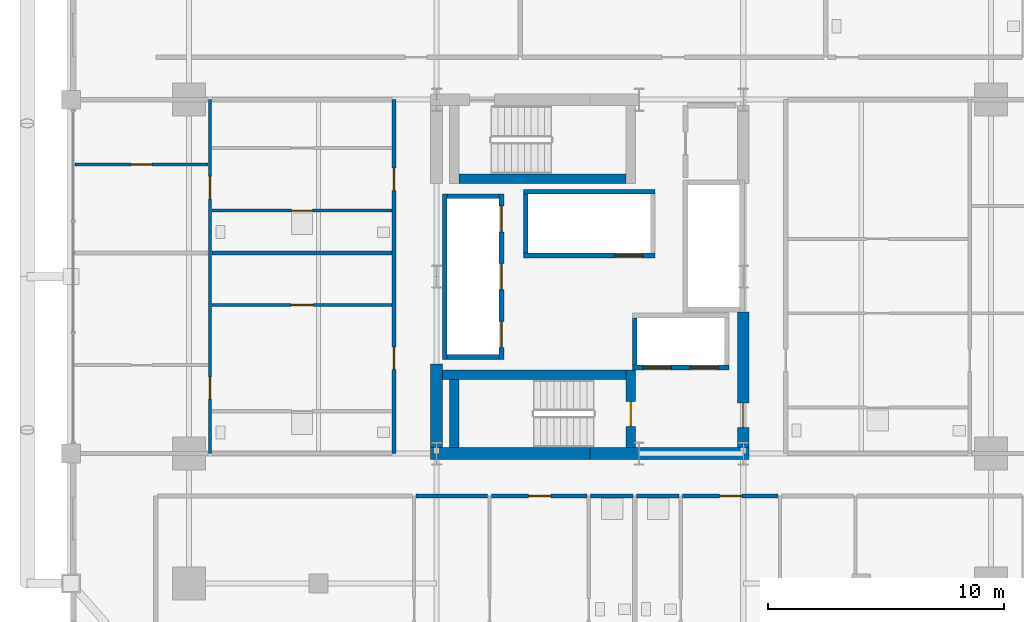
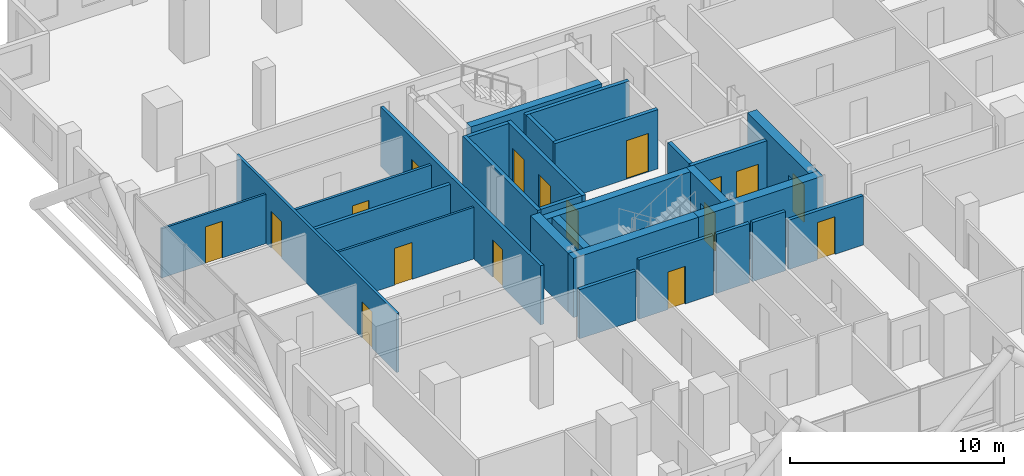
# One storey, part 22 of 27: 28 walls, 17 doors, 17 openings.
"""IFC4 building model written with IfcOpenShell, lengths in metres."""

from ifc_helpers import new_model, si_unit, direction, frame, frame_2d, origin, place, context, subcontext, project, spatial, rectangle, extrude, material, layer, layer_set, type_object, element, fill, save


model = new_model("IFC4")

# Units and contexts
model_context = context("Model", 3, precision=1e-05, world=origin(), true_north=direction((0.0, 1.0)))
body_context = subcontext(model_context, "Body", "Model", "MODEL_VIEW")
ifc_project = project(units=[si_unit("LENGTHUNIT", "METRE"), si_unit("AREAUNIT", "SQUARE_METRE"), si_unit("VOLUMEUNIT", "CUBIC_METRE"), si_unit("PLANEANGLEUNIT", "RADIAN"), si_unit("MASSUNIT", "GRAM", prefix="KILO")], contexts=[model_context])

# Site, building, storey
site_placement = place(None, origin())
site = spatial("IfcSite", under=ifc_project, at=site_placement, CompositionType="ELEMENT")
building_placement = place(site_placement, origin())
building = spatial("IfcBuilding", under=site, at=building_placement, Name="Barlavira Tower and Art Museum", CompositionType="ELEMENT")
storey_placement = place(building_placement, frame((0.0, 0.0, 50.39990234375)))
storey = spatial("IfcBuildingStorey", under=building, at=storey_placement, Name="L11", CompositionType="ELEMENT", Elevation=50.39990234375)

# Wall, opening, door
ifc_material_1 = material(Name="Gypsum acoustic stud partition", Category="gypsum")
ifc_layer_1 = layer(ifc_material_1, 0.1201171875, Name="Gypsum acoustic stud partition")
ifc_layer_set_1 = layer_set([ifc_layer_1], Name="Gypsum acoustic stud partition")
wall_type_1 = type_object("IfcWallType", Name="Apartment Internal Acoustic Partition 120", PredefinedType="PARTITIONING", material=ifc_layer_set_1)
wall_1_placement = place(storey_placement, frame((-16.02001953125, -1.199951171875, 0.0), z_axis=(0.0, 0.0, 1.0), x_axis=(1.0, 0.0, 0.0)))
wall_1 = element("IfcWall", 1, at=wall_1_placement, inside=storey, type_object=wall_type_1, Name="L11 Partition Wall 49", PredefinedType="PARTITIONING", context=body_context, shape_type="SweptSolid", body=[
    extrude(rectangle(XDim=7.64013671875, YDim=0.1201171875, at=frame_2d((3.820068359375, 0.0))), origin(), (0.0, 0.0, 1.0), 2.947998046875),
])
opening_1_placement = place(wall_1_placement, frame((3.344970703125, 0.0, 0.0)))
opening_1 = element("IfcOpeningElement", 2, at=opening_1_placement, cuts=wall_1, Name="Opening D-02", PredefinedType="OPENING", context=body_context, shape_type="SweptSolid", body=[
    extrude(rectangle(XDim=0.949951171875, YDim=2.10009765625, at=frame_2d((0.47509765625, 1.050048828125))), frame((0.0, 0.070068359375, 0.0), z_axis=(0.0, -1.0, 0.0), x_axis=(1.0, 0.0, 0.0)), (0.0, 0.0, 1.0), 0.14013671875),
])
ifc_material_2 = material(Name="Engineered coastal hardwood", Category="wood")
door_type_1 = type_object("IfcDoorType", Name="Living and Salon Glazed-Leaf Door 950x2100", OperationType="NOTDEFINED", PredefinedType="DOOR", material=ifc_material_2)
door_1_placement = place(opening_1_placement, origin())
door_1 = element("IfcDoor", 3, at=door_1_placement, inside=storey, type_object=door_type_1, Name="Apartment W1 Kitchen Door", OperationType="SINGLE_SWING_LEFT", OverallHeight=2.10009765625, OverallWidth=0.949951171875, PredefinedType="DOOR", context=body_context, shape_type="SweptSolid", body=[
    extrude(rectangle(XDim=0.949951171875, YDim=2.10009765625, at=frame_2d((0.47509765625, 1.050048828125))), frame((0.0, 0.02490234375, 0.0), z_axis=(0.0, -1.0, 0.0), x_axis=(1.0, 0.0, 0.0)), (0.0, 0.0, 1.0), 0.050048828125),
])
fill(opening_1, door_1)

wall_2_placement = place(storey_placement, frame((-21.820068359375, 4.75, 0.0), z_axis=(0.0, 0.0, 1.0), x_axis=(1.0, 0.0, 0.0)))
wall_2 = element("IfcWall", 4, at=wall_2_placement, inside=storey, type_object=wall_type_1, Name="L11 Partition Wall 55", PredefinedType="PARTITIONING", context=body_context, shape_type="SweptSolid", body=[
    extrude(rectangle(XDim=5.64013671875, YDim=0.1201171875, at=frame_2d((2.820068359375, 0.0))), origin(), (0.0, 0.0, 1.0), 2.816162109375),
])
opening_2_placement = place(wall_2_placement, frame((2.3701171875, 0.0, 0.0)))
opening_2 = element("IfcOpeningElement", 5, at=opening_2_placement, cuts=wall_2, Name="Opening D-01", PredefinedType="OPENING", context=body_context, shape_type="SweptSolid", body=[
    extrude(rectangle(XDim=0.89990234375, YDim=2.10009765625, at=frame_2d((0.449951171875, 1.050048828125))), frame((0.0, 0.070068359375, 0.0), z_axis=(0.0, -1.0, 0.0), x_axis=(1.0, 0.0, 0.0)), (0.0, 0.0, 1.0), 0.14013671875),
])
door_type_2 = type_object("IfcDoorType", Name="Internal Bedroom Timber Flush Door 900x2100", OperationType="NOTDEFINED", PredefinedType="DOOR", material=ifc_material_2)
door_2_placement = place(opening_2_placement, origin())
door_2 = element("IfcDoor", 6, at=door_2_placement, inside=storey, type_object=door_type_2, Name="Apartment W2 Bedroom 1 Door", OperationType="SINGLE_SWING_RIGHT", OverallHeight=2.10009765625, OverallWidth=0.89990234375, PredefinedType="DOOR", context=body_context, shape_type="SweptSolid", body=[
    extrude(rectangle(XDim=0.89990234375, YDim=2.10009765625, at=frame_2d((0.449951171875, 1.050048828125))), frame((0.0, 0.02490234375, 0.0), z_axis=(0.0, -1.0, 0.0), x_axis=(1.0, 0.0, 0.0)), (0.0, 0.0, 1.0), 0.050048828125),
])
fill(opening_2, door_2)

# Walls
ifc_material_3 = material(Name="Concrete C60", Category="concrete")
ifc_layer_2 = layer(ifc_material_3, 0.5, Name="Concrete C60")
ifc_layer_set_2 = layer_set([ifc_layer_2], Name="Concrete C60")
wall_type_2 = type_object("IfcWallType", Name="Core Structural Shear Wall 500 Concrete C60", PredefinedType="SHEAR", material=ifc_layer_set_2)
for number, where, z_axis, x_axis, name in (
    (7, (-6.75, -7.5, 0.0), (0.0, 0.0, 1.0), (1.0, 0.0, 0.0), "L11 Core Shear Wall CS-SW"),
    (8, (0.0, -7.5, 0.0), (0.0, 0.0, 1.0), (1.0, 0.0, 0.0), "L11 Core Shear Wall CS-SE"),
):
    element("IfcWall", number, at=place(storey_placement, frame(where, z_axis=z_axis, x_axis=x_axis)), inside=storey, type_object=wall_type_2, Name=name, PredefinedType="SHEAR", context=body_context, shape_type="SweptSolid", body=[
        extrude(rectangle(XDim=6.75, YDim=0.5, at=frame_2d((3.375, 0.0))), origin(), (0.0, 0.0, 1.0), 3.380126953125),
    ])
wall_3_placement = place(storey_placement, frame((-6.5, -7.25, 0.0), z_axis=(0.0, 0.0, 1.0), x_axis=(0.0, 1.0, 0.0)))
element("IfcWall", 9, at=wall_3_placement, inside=storey, type_object=wall_type_2, Name="L11 Core Shear Wall CS-W1", PredefinedType="SHEAR", context=body_context, shape_type="SweptSolid", body=[
    extrude(rectangle(XDim=3.550048828125, YDim=0.5, at=frame_2d((1.77490234375, 0.0))), origin(), (0.0, 0.0, 1.0), 3.380126953125),
])

# Wall, opening, door
wall_4_placement = place(storey_placement, frame((6.5, -7.25, 0.0), z_axis=(0.0, 0.0, 1.0), x_axis=(0.0, 1.0, 0.0)))
wall_4 = element("IfcWall", 10, at=wall_4_placement, inside=storey, type_object=wall_type_2, Name="L11 Core Shear Wall CS-E1", PredefinedType="SHEAR", context=body_context, shape_type="SweptSolid", body=[
    extrude(rectangle(XDim=5.75, YDim=0.5, at=frame_2d((2.875, 0.0))), origin(), (0.0, 0.0, 1.0), 3.380126953125),
])
opening_3_placement = place(wall_4_placement, frame((0.85009765625, 0.0, 0.0)))
opening_3 = element("IfcOpeningElement", 11, at=opening_3_placement, cuts=wall_4, Name="Opening FD-90", PredefinedType="OPENING", context=body_context, shape_type="SweptSolid", body=[
    extrude(rectangle(XDim=1.050048828125, YDim=2.14990234375, at=frame_2d((0.52490234375, 1.074951171875))), frame((0.0, 0.260009765625, 0.0), z_axis=(0.0, -1.0, 0.0), x_axis=(1.0, 0.0, 0.0)), (0.0, 0.0, 1.0), 0.52001953125),
])
ifc_material_4 = material(Name="Brushed stainless steel", Category="steel")
door_type_3 = type_object("IfcDoorType", Name="Stair and Refuge Fire Door 1050x2150 FD90S", OperationType="NOTDEFINED", PredefinedType="DOOR", material=ifc_material_4)
door_3_placement = place(opening_3_placement, origin())
door_3 = element("IfcDoor", 12, at=door_3_placement, inside=storey, type_object=door_type_3, Name="L11 Firefighting Lobby Entry Fire Door", OperationType="SINGLE_SWING_LEFT", OverallHeight=2.14990234375, OverallWidth=1.050048828125, PredefinedType="DOOR", context=body_context, shape_type="SweptSolid", body=[
    extrude(rectangle(XDim=1.050048828125, YDim=2.14990234375, at=frame_2d((0.52490234375, 1.074951171875))), frame((0.0, 0.02490234375, 0.0), z_axis=(0.0, -1.0, 0.0), x_axis=(1.0, 0.0, 0.0)), (0.0, 0.0, 1.0), 0.050048828125),
])
fill(opening_3, door_3)

# Wall, openings, doors
ifc_material_5 = material(Name="Autoclaved aerated concrete masonry", Category="masonry")
ifc_layer_3 = layer(ifc_material_5, 0.199951171875, Name="Autoclaved aerated concrete masonry")
ifc_layer_set_3 = layer_set([ifc_layer_3], Name="Autoclaved aerated concrete masonry")
wall_type_3 = type_object("IfcWallType", Name="Fire Compartment and Shaft Wall 200", PredefinedType="SOLIDWALL", material=ifc_layer_set_3)
wall_5_placement = place(storey_placement, frame((-3.75, -3.510009765625, 0.0), z_axis=(0.0, 0.0, 1.0), x_axis=(0.0, 1.0, 0.0)))
wall_5 = element("IfcWall", 13, at=wall_5_placement, inside=storey, type_object=wall_type_3, Name="L11 Low-Rise Lift Front Shaft Wall", PredefinedType="SOLIDWALL", context=body_context, shape_type="SweptSolid", body=[
    extrude(rectangle(XDim=7.02001953125, YDim=0.199951171875, at=frame_2d((3.510009765625, 0.0))), origin(), (0.0, 0.0, 1.0), 3.380126953125),
])
opening_4_placement = place(wall_5_placement, frame((0.510009765625, 0.0, 0.0)))
opening_4 = element("IfcOpeningElement", 14, at=opening_4_placement, cuts=wall_5, Name="Opening LD-P", PredefinedType="OPENING", context=body_context, shape_type="SweptSolid", body=[
    extrude(rectangle(XDim=1.10009765625, YDim=2.14990234375, at=frame_2d((0.550048828125, 1.074951171875))), frame((0.0, 0.10986328125, 0.0), z_axis=(0.0, -1.0, 0.0), x_axis=(1.0, 0.0, 0.0)), (0.0, 0.0, 1.0), 0.219970703125),
])
opening_5_placement = place(wall_5_placement, frame((2.9599609375, 0.0, 0.0)))
opening_5 = element("IfcOpeningElement", 15, at=opening_5_placement, cuts=wall_5, Name="Opening LD-P", PredefinedType="OPENING", context=body_context, shape_type="SweptSolid", body=[
    extrude(rectangle(XDim=1.10009765625, YDim=2.14990234375, at=frame_2d((0.550048828125, 1.074951171875))), frame((0.0, 0.10986328125, 0.0), z_axis=(0.0, -1.0, 0.0), x_axis=(1.0, 0.0, 0.0)), (0.0, 0.0, 1.0), 0.219970703125),
])
opening_6_placement = place(wall_5_placement, frame((5.409912109375, 0.0, 0.0)))
opening_6 = element("IfcOpeningElement", 16, at=opening_6_placement, cuts=wall_5, Name="Opening LD-P", PredefinedType="OPENING", context=body_context, shape_type="SweptSolid", body=[
    extrude(rectangle(XDim=1.10009765625, YDim=2.14990234375, at=frame_2d((0.550048828125, 1.074951171875))), frame((0.0, 0.10986328125, 0.0), z_axis=(0.0, -1.0, 0.0), x_axis=(1.0, 0.0, 0.0)), (0.0, 0.0, 1.0), 0.219970703125),
])
door_type_4 = type_object("IfcDoorType", Name="Passenger Lift Sliding Landing Door 1100x2150 FD60", OperationType="NOTDEFINED", PredefinedType="DOOR", material=ifc_material_4)
door_4_placement = place(opening_4_placement, origin())
door_4 = element("IfcDoor", 17, at=door_4_placement, inside=storey, type_object=door_type_4, Name="L11 Lift PL1 Sliding Landing Door", OperationType="DOUBLE_DOOR_SLIDING", OverallHeight=2.14990234375, OverallWidth=1.10009765625, PredefinedType="DOOR", context=body_context, shape_type="SweptSolid", body=[
    extrude(rectangle(XDim=1.10009765625, YDim=2.14990234375, at=frame_2d((0.550048828125, 1.074951171875))), frame((0.0, 0.02490234375, 0.0), z_axis=(0.0, -1.0, 0.0), x_axis=(1.0, 0.0, 0.0)), (0.0, 0.0, 1.0), 0.050048828125),
])
fill(opening_4, door_4)
door_5_placement = place(opening_5_placement, origin())
door_5 = element("IfcDoor", 18, at=door_5_placement, inside=storey, type_object=door_type_4, Name="L11 Lift PL2 Sliding Landing Door", OperationType="DOUBLE_DOOR_SLIDING", OverallHeight=2.14990234375, OverallWidth=1.10009765625, PredefinedType="DOOR", context=body_context, shape_type="SweptSolid", body=[
    extrude(rectangle(XDim=1.10009765625, YDim=2.14990234375, at=frame_2d((0.550048828125, 1.074951171875))), frame((0.0, 0.02490234375, 0.0), z_axis=(0.0, -1.0, 0.0), x_axis=(1.0, 0.0, 0.0)), (0.0, 0.0, 1.0), 0.050048828125),
])
fill(opening_5, door_5)
door_6_placement = place(opening_6_placement, origin())
door_6 = element("IfcDoor", 19, at=door_6_placement, inside=storey, type_object=door_type_4, Name="L11 Lift PL3 Sliding Landing Door", OperationType="DOUBLE_DOOR_SLIDING", OverallHeight=2.14990234375, OverallWidth=1.10009765625, PredefinedType="DOOR", context=body_context, shape_type="SweptSolid", body=[
    extrude(rectangle(XDim=1.10009765625, YDim=2.14990234375, at=frame_2d((0.550048828125, 1.074951171875))), frame((0.0, 0.02490234375, 0.0), z_axis=(0.0, -1.0, 0.0), x_axis=(1.0, 0.0, 0.0)), (0.0, 0.0, 1.0), 0.050048828125),
])
fill(opening_6, door_6)

# Walls
wall_6_placement = place(storey_placement, frame((-6.14990234375, -3.510009765625, 0.0), z_axis=(0.0, 0.0, 1.0), x_axis=(0.0, 1.0, 0.0)))
element("IfcWall", 20, at=wall_6_placement, inside=storey, type_object=wall_type_3, Name="L11 Low-Rise Lift Back Shaft Wall", PredefinedType="SOLIDWALL", context=body_context, shape_type="SweptSolid", body=[
    extrude(rectangle(XDim=7.02001953125, YDim=0.199951171875, at=frame_2d((3.510009765625, 0.0))), origin(), (0.0, 0.0, 1.0), 3.380126953125),
])
for number, where, z_axis, x_axis, name in (
    (21, (-6.050048828125, -3.409912109375, 0.0), (0.0, 0.0, 1.0), (1.0, 0.0, 0.0), "L11 Low-Rise Lift South Shaft Wall"),
    (22, (-6.050048828125, 3.409912109375, 0.0), (0.0, 0.0, 1.0), (1.0, 0.0, 0.0), "L11 Low-Rise Lift North Shaft Wall"),
):
    element("IfcWall", number, at=place(storey_placement, frame(where, z_axis=z_axis, x_axis=x_axis)), inside=storey, type_object=wall_type_3, Name=name, PredefinedType="SOLIDWALL", context=body_context, shape_type="SweptSolid", body=[
        extrude(rectangle(XDim=2.199951171875, YDim=0.199951171875, at=frame_2d((1.10009765625, 0.0))), origin(), (0.0, 0.0, 1.0), 3.380126953125),
    ])

# Wall, opening, door
wall_7_placement = place(storey_placement, frame((-2.820068359375, 0.89990234375, 0.0), z_axis=(0.0, 0.0, 1.0), x_axis=(1.0, 0.0, 0.0)))
wall_7 = element("IfcWall", 23, at=wall_7_placement, inside=storey, type_object=wall_type_3, Name="L11 High-Rise & Service Lift Front Wall", PredefinedType="SOLIDWALL", context=body_context, shape_type="SweptSolid", body=[
    extrude(rectangle(XDim=5.580078125, YDim=0.199951171875, at=frame_2d((2.7900390625, 0.0))), origin(), (0.0, 0.0, 1.0), 3.380126953125),
])
opening_7_placement = place(wall_7_placement, frame((3.860107421875, 0.0, 0.0)))
opening_7 = element("IfcOpeningElement", 24, at=opening_7_placement, cuts=wall_7, Name="Opening LD-F", PredefinedType="OPENING", context=body_context, shape_type="SweptSolid", body=[
    extrude(rectangle(XDim=1.199951171875, YDim=2.199951171875, at=frame_2d((0.60009765625, 1.10009765625))), frame((0.0, 0.10986328125, 0.0), z_axis=(0.0, -1.0, 0.0), x_axis=(1.0, 0.0, 0.0)), (0.0, 0.0, 1.0), 0.219970703125),
])
door_type_5 = type_object("IfcDoorType", Name="Firefighting and Service Lift Sliding Door 1200x2200 FD120", OperationType="NOTDEFINED", PredefinedType="DOOR", material=ifc_material_4)
door_7_placement = place(opening_7_placement, origin())
door_7 = element("IfcDoor", 25, at=door_7_placement, inside=storey, type_object=door_type_5, Name="L11 Stretcher Service Lift SL1 Sliding Door", OperationType="DOUBLE_DOOR_SLIDING", OverallHeight=2.199951171875, OverallWidth=1.199951171875, PredefinedType="DOOR", context=body_context, shape_type="SweptSolid", body=[
    extrude(rectangle(XDim=1.199951171875, YDim=2.199951171875, at=frame_2d((0.60009765625, 1.10009765625))), frame((0.0, 0.02490234375, 0.0), z_axis=(0.0, -1.0, 0.0), x_axis=(1.0, 0.0, 0.0)), (0.0, 0.0, 1.0), 0.050048828125),
])
fill(opening_7, door_7)

# Walls
wall_8_placement = place(storey_placement, frame((-2.820068359375, 3.60009765625, 0.0), z_axis=(0.0, 0.0, 1.0), x_axis=(1.0, 0.0, 0.0)))
element("IfcWall", 26, at=wall_8_placement, inside=storey, type_object=wall_type_3, Name="L11 High-Rise & Service Lift Back Wall", PredefinedType="SOLIDWALL", context=body_context, shape_type="SweptSolid", body=[
    extrude(rectangle(XDim=5.580078125, YDim=0.199951171875, at=frame_2d((2.7900390625, 0.0))), origin(), (0.0, 0.0, 1.0), 3.380126953125),
])
wall_9_placement = place(storey_placement, frame((-2.719970703125, 1.0, 0.0), z_axis=(0.0, 0.0, 1.0), x_axis=(0.0, 1.0, 0.0)))
element("IfcWall", 27, at=wall_9_placement, inside=storey, type_object=wall_type_3, Name="L11 High-Rise & Service Lift West Wall", PredefinedType="SOLIDWALL", context=body_context, shape_type="SweptSolid", body=[
    extrude(rectangle(XDim=2.5, YDim=0.199951171875, at=frame_2d((1.25, 0.0))), origin(), (0.0, 0.0, 1.0), 3.380126953125),
])

# Wall, openings, doors
wall_10_placement = place(storey_placement, frame((1.800048828125, -3.85009765625, 0.0), z_axis=(0.0, 0.0, 1.0), x_axis=(1.0, 0.0, 0.0)))
wall_10 = element("IfcWall", 28, at=wall_10_placement, inside=storey, type_object=wall_type_3, Name="L11 Firefighting Lift Front Shaft Wall", PredefinedType="SOLIDWALL", context=body_context, shape_type="SweptSolid", body=[
    extrude(rectangle(XDim=4.099853515625, YDim=0.199951171875, at=frame_2d((2.0498046875, 0.0))), origin(), (0.0, 0.0, 1.0), 3.380126953125),
])
opening_8_placement = place(wall_10_placement, frame((0.449951171875, 0.0, 0.0)))
opening_8 = element("IfcOpeningElement", 29, at=opening_8_placement, cuts=wall_10, Name="Opening LD-F", PredefinedType="OPENING", context=body_context, shape_type="SweptSolid", body=[
    extrude(rectangle(XDim=1.199951171875, YDim=2.199951171875, at=frame_2d((0.60009765625, 1.10009765625))), frame((0.0, 0.10986328125, 0.0), z_axis=(0.0, -1.0, 0.0), x_axis=(1.0, 0.0, 0.0)), (0.0, 0.0, 1.0), 0.219970703125),
])
opening_9_placement = place(wall_10_placement, frame((2.449951171875, 0.0, 0.0)))
opening_9 = element("IfcOpeningElement", 30, at=opening_9_placement, cuts=wall_10, Name="Opening LD-F", PredefinedType="OPENING", context=body_context, shape_type="SweptSolid", body=[
    extrude(rectangle(XDim=1.199951171875, YDim=2.199951171875, at=frame_2d((0.60009765625, 1.10009765625))), frame((0.0, 0.10986328125, 0.0), z_axis=(0.0, -1.0, 0.0), x_axis=(1.0, 0.0, 0.0)), (0.0, 0.0, 1.0), 0.219970703125),
])
door_8_placement = place(opening_8_placement, origin())
door_8 = element("IfcDoor", 31, at=door_8_placement, inside=storey, type_object=door_type_5, Name="L11 Firefighting Lift FF1 Sliding Door", OperationType="DOUBLE_DOOR_SLIDING", OverallHeight=2.199951171875, OverallWidth=1.199951171875, PredefinedType="DOOR", context=body_context, shape_type="SweptSolid", body=[
    extrude(rectangle(XDim=1.199951171875, YDim=2.199951171875, at=frame_2d((0.60009765625, 1.10009765625))), frame((0.0, 0.02490234375, 0.0), z_axis=(0.0, -1.0, 0.0), x_axis=(1.0, 0.0, 0.0)), (0.0, 0.0, 1.0), 0.050048828125),
])
fill(opening_8, door_8)
door_9_placement = place(opening_9_placement, origin())
door_9 = element("IfcDoor", 32, at=door_9_placement, inside=storey, type_object=door_type_5, Name="L11 Firefighting Lift FF2 Sliding Door", OperationType="DOUBLE_DOOR_SLIDING", OverallHeight=2.199951171875, OverallWidth=1.199951171875, PredefinedType="DOOR", context=body_context, shape_type="SweptSolid", body=[
    extrude(rectangle(XDim=1.199951171875, YDim=2.199951171875, at=frame_2d((0.60009765625, 1.10009765625))), frame((0.0, 0.02490234375, 0.0), z_axis=(0.0, -1.0, 0.0), x_axis=(1.0, 0.0, 0.0)), (0.0, 0.0, 1.0), 0.050048828125),
])
fill(opening_9, door_9)

# Wall
wall_11_placement = place(storey_placement, frame((1.89990234375, -3.75, 0.0), z_axis=(0.0, 0.0, 1.0), x_axis=(0.0, 1.0, 0.0)))
element("IfcWall", 33, at=wall_11_placement, inside=storey, type_object=wall_type_3, Name="L11 Firefighting Lift West Shaft Wall", PredefinedType="SOLIDWALL", context=body_context, shape_type="SweptSolid", body=[
    extrude(rectangle(XDim=2.0, YDim=0.199951171875, at=frame_2d((1.0, 0.0))), origin(), (0.0, 0.0, 1.0), 3.380126953125),
])

# Wall, openings, doors
ifc_layer_4 = layer(ifc_material_1, 0.179931640625, Name="Gypsum acoustic stud partition")
ifc_layer_set_4 = layer_set([ifc_layer_4], Name="Gypsum acoustic stud partition")
wall_type_4 = type_object("IfcWallType", Name="Inter-Tenancy Party Partition Wall 180", PredefinedType="PARTITIONING", material=ifc_layer_set_4)
wall_12_placement = place(storey_placement, frame((-8.300048828125, -7.5, 0.0), z_axis=(0.0, 0.0, 1.0), x_axis=(0.0, 1.0, 0.0)))
wall_12 = element("IfcWall", 34, at=wall_12_placement, inside=storey, type_object=wall_type_4, Name="L11 Partition Wall 5", PredefinedType="PARTITIONING", context=body_context, shape_type="SweptSolid", body=[
    extrude(rectangle(XDim=15.0, YDim=0.179931640625, at=frame_2d((7.5, 0.0))), origin(), (0.0, 0.0, 1.0), 3.380126953125),
])
opening_10_placement = place(wall_12_placement, frame((3.56494140625, 0.0, 0.0)))
opening_10 = element("IfcOpeningElement", 35, at=opening_10_placement, cuts=wall_12, Name="Opening FD-60", PredefinedType="OPENING", context=body_context, shape_type="SweptSolid", body=[
    extrude(rectangle(XDim=0.949951171875, YDim=2.14990234375, at=frame_2d((0.47509765625, 1.074951171875))), frame((0.0, 0.10009765625, 0.0), z_axis=(0.0, -1.0, 0.0), x_axis=(1.0, 0.0, 0.0)), (0.0, 0.0, 1.0), 0.199951171875),
])
opening_11_placement = place(wall_12_placement, frame((11.14501953125, 0.0, 0.0)))
opening_11 = element("IfcOpeningElement", 36, at=opening_11_placement, cuts=wall_12, Name="Opening FD-60", PredefinedType="OPENING", context=body_context, shape_type="SweptSolid", body=[
    extrude(rectangle(XDim=0.949951171875, YDim=2.14990234375, at=frame_2d((0.47509765625, 1.074951171875))), frame((0.0, 0.10009765625, 0.0), z_axis=(0.0, -1.0, 0.0), x_axis=(1.0, 0.0, 0.0)), (0.0, 0.0, 1.0), 0.199951171875),
])
door_type_6 = type_object("IfcDoorType", Name="Apartment Entrance and Riser Fire Door 950x2150 FD60S", OperationType="NOTDEFINED", PredefinedType="DOOR", material=ifc_material_4)
door_10_placement = place(opening_10_placement, origin())
door_10 = element("IfcDoor", 37, at=door_10_placement, inside=storey, type_object=door_type_6, Name="Apartment Entrance Hall W1 Door", OperationType="SINGLE_SWING_RIGHT", OverallHeight=2.14990234375, OverallWidth=0.949951171875, PredefinedType="DOOR", context=body_context, shape_type="SweptSolid", body=[
    extrude(rectangle(XDim=0.949951171875, YDim=2.14990234375, at=frame_2d((0.47509765625, 1.074951171875))), frame((0.0, 0.02490234375, 0.0), z_axis=(0.0, -1.0, 0.0), x_axis=(1.0, 0.0, 0.0)), (0.0, 0.0, 1.0), 0.050048828125),
])
fill(opening_10, door_10)
door_11_placement = place(opening_11_placement, origin())
door_11 = element("IfcDoor", 38, at=door_11_placement, inside=storey, type_object=door_type_6, Name="Apartment Entrance Hall W2 Door", OperationType="SINGLE_SWING_LEFT", OverallHeight=2.14990234375, OverallWidth=0.949951171875, PredefinedType="DOOR", context=body_context, shape_type="SweptSolid", body=[
    extrude(rectangle(XDim=0.949951171875, YDim=2.14990234375, at=frame_2d((0.47509765625, 1.074951171875))), frame((0.0, 0.02490234375, 0.0), z_axis=(0.0, -1.0, 0.0), x_axis=(1.0, 0.0, 0.0)), (0.0, 0.0, 1.0), 0.050048828125),
])
fill(opening_11, door_11)

# Wall
wall_13_placement = place(storey_placement, frame((-7.3701171875, -9.300048828125, 0.0), z_axis=(0.0, 0.0, 1.0), x_axis=(1.0, 0.0, 0.0)))
element("IfcWall", 39, at=wall_13_placement, inside=storey, type_object=wall_type_4, Name="L11 Partition Wall 33", PredefinedType="PARTITIONING", context=body_context, shape_type="SweptSolid", body=[
    extrude(rectangle(XDim=3.0400390625, YDim=0.179931640625, at=frame_2d((1.52001953125, 0.0))), origin(), (0.0, 0.0, 1.0), 2.816162109375),
])

# Wall, opening, door
wall_14_placement = place(storey_placement, frame((-4.169921875, -9.300048828125, 0.0), z_axis=(0.0, 0.0, 1.0), x_axis=(1.0, 0.0, 0.0)))
wall_14 = element("IfcWall", 40, at=wall_14_placement, inside=storey, type_object=wall_type_4, Name="L11 Partition Wall 34", PredefinedType="PARTITIONING", context=body_context, shape_type="SweptSolid", body=[
    extrude(rectangle(XDim=4.0400390625, YDim=0.179931640625, at=frame_2d((2.02001953125, 0.0))), origin(), (0.0, 0.0, 1.0), 3.380126953125),
])
opening_12_placement = place(wall_14_placement, frame((1.56494140625, 0.0, 0.0)))
opening_12 = element("IfcOpeningElement", 41, at=opening_12_placement, cuts=wall_14, Name="Opening FD-60", PredefinedType="OPENING", context=body_context, shape_type="SweptSolid", body=[
    extrude(rectangle(XDim=0.949951171875, YDim=2.14990234375, at=frame_2d((0.47509765625, 1.074951171875))), frame((0.0, 0.10009765625, 0.0), z_axis=(0.0, -1.0, 0.0), x_axis=(1.0, 0.0, 0.0)), (0.0, 0.0, 1.0), 0.199951171875),
])
door_12_placement = place(opening_12_placement, origin())
door_12 = element("IfcDoor", 42, at=door_12_placement, inside=storey, type_object=door_type_6, Name="Apartment Entrance Hall S1 Door", OperationType="SINGLE_SWING_LEFT", OverallHeight=2.14990234375, OverallWidth=0.949951171875, PredefinedType="DOOR", context=body_context, shape_type="SweptSolid", body=[
    extrude(rectangle(XDim=0.949951171875, YDim=2.14990234375, at=frame_2d((0.47509765625, 1.074951171875))), frame((0.0, 0.02490234375, 0.0), z_axis=(0.0, -1.0, 0.0), x_axis=(1.0, 0.0, 0.0)), (0.0, 0.0, 1.0), 0.050048828125),
])
fill(opening_12, door_12)

# Walls
for number, where, z_axis, x_axis, name in (
    (43, (0.030029296875, -9.300048828125, 0.0), (0.0, 0.0, 1.0), (1.0, 0.0, 0.0), "L11 Partition Wall 35"),
    (44, (1.97998046875, -9.300048828125, 0.0), (0.0, 0.0, 1.0), (1.0, 0.0, 0.0), "L11 Partition Wall 36"),
):
    element("IfcWall", number, at=place(storey_placement, frame(where, z_axis=z_axis, x_axis=x_axis)), inside=storey, type_object=wall_type_4, Name=name, PredefinedType="PARTITIONING", context=body_context, shape_type="SweptSolid", body=[
        extrude(rectangle(XDim=1.7900390625, YDim=0.179931640625, at=frame_2d((0.89501953125, 0.0))), origin(), (0.0, 0.0, 1.0), 3.380126953125),
    ])

# Wall, opening, door
wall_15_placement = place(storey_placement, frame((3.929931640625, -9.300048828125, 0.0), z_axis=(0.0, 0.0, 1.0), x_axis=(1.0, 0.0, 0.0)))
wall_15 = element("IfcWall", 45, at=wall_15_placement, inside=storey, type_object=wall_type_4, Name="L11 Partition Wall 37", PredefinedType="PARTITIONING", context=body_context, shape_type="SweptSolid", body=[
    extrude(rectangle(XDim=4.0400390625, YDim=0.179931640625, at=frame_2d((2.02001953125, 0.0))), origin(), (0.0, 0.0, 1.0), 2.816162109375),
])
opening_13_placement = place(wall_15_placement, frame((1.56494140625, 0.0, 0.0)))
opening_13 = element("IfcOpeningElement", 46, at=opening_13_placement, cuts=wall_15, Name="Opening FD-60", PredefinedType="OPENING", context=body_context, shape_type="SweptSolid", body=[
    extrude(rectangle(XDim=0.949951171875, YDim=2.14990234375, at=frame_2d((0.47509765625, 1.074951171875))), frame((0.0, 0.10009765625, 0.0), z_axis=(0.0, -1.0, 0.0), x_axis=(1.0, 0.0, 0.0)), (0.0, 0.0, 1.0), 0.199951171875),
])
door_13_placement = place(opening_13_placement, origin())
door_13 = element("IfcDoor", 47, at=door_13_placement, inside=storey, type_object=door_type_6, Name="Apartment Entrance Hall S2 Door", OperationType="SINGLE_SWING_LEFT", OverallHeight=2.14990234375, OverallWidth=0.949951171875, PredefinedType="DOOR", context=body_context, shape_type="SweptSolid", body=[
    extrude(rectangle(XDim=0.949951171875, YDim=2.14990234375, at=frame_2d((0.47509765625, 1.074951171875))), frame((0.0, 0.02490234375, 0.0), z_axis=(0.0, -1.0, 0.0), x_axis=(1.0, 0.0, 0.0)), (0.0, 0.0, 1.0), 0.050048828125),
])
fill(opening_13, door_13)

# Wall
wall_16_placement = place(storey_placement, frame((-16.02001953125, 1.0, 0.0), z_axis=(0.0, 0.0, 1.0), x_axis=(1.0, 0.0, 0.0)))
element("IfcWall", 48, at=wall_16_placement, inside=storey, type_object=wall_type_4, Name="L11 Partition Wall 51", PredefinedType="PARTITIONING", context=body_context, shape_type="SweptSolid", body=[
    extrude(rectangle(XDim=7.64013671875, YDim=0.179931640625, at=frame_2d((3.820068359375, 0.0))), origin(), (0.0, 0.0, 1.0), 2.947998046875),
])

# Wall, openings, doors
ifc_layer_5 = layer(ifc_material_1, 0.139892578125, Name="Gypsum acoustic stud partition")
ifc_layer_set_5 = layer_set([ifc_layer_5], Name="Gypsum acoustic stud partition")
wall_type_5 = type_object("IfcWallType", Name="Moisture-Resistant Bathroom Partition 140", PredefinedType="PARTITIONING", material=ifc_layer_set_5)
wall_17_placement = place(storey_placement, frame((-16.10009765625, -7.5, 0.0), z_axis=(0.0, 0.0, 1.0), x_axis=(0.0, 1.0, 0.0)))
wall_17 = element("IfcWall", 49, at=wall_17_placement, inside=storey, type_object=wall_type_5, Name="L11 Partition Wall 2", PredefinedType="PARTITIONING", context=body_context, shape_type="SweptSolid", body=[
    extrude(rectangle(XDim=15.0, YDim=0.139892578125, at=frame_2d((7.5, 0.0))), origin(), (0.0, 0.0, 1.0), 3.380126953125),
])
opening_14_placement = place(wall_17_placement, frame((2.304931640625, 0.0, 0.0)))
opening_14 = element("IfcOpeningElement", 50, at=opening_14_placement, cuts=wall_17, Name="Opening D-02", PredefinedType="OPENING", context=body_context, shape_type="SweptSolid", body=[
    extrude(rectangle(XDim=0.949951171875, YDim=2.10009765625, at=frame_2d((0.47509765625, 1.050048828125))), frame((0.0, 0.080078125, 0.0), z_axis=(0.0, -1.0, 0.0), x_axis=(1.0, 0.0, 0.0)), (0.0, 0.0, 1.0), 0.159912109375),
])
opening_15_placement = place(wall_17_placement, frame((10.794921875, 0.0, 0.0)))
opening_15 = element("IfcOpeningElement", 51, at=opening_15_placement, cuts=wall_17, Name="Opening D-02", PredefinedType="OPENING", context=body_context, shape_type="SweptSolid", body=[
    extrude(rectangle(XDim=0.949951171875, YDim=2.10009765625, at=frame_2d((0.47509765625, 1.050048828125))), frame((0.0, 0.080078125, 0.0), z_axis=(0.0, -1.0, 0.0), x_axis=(1.0, 0.0, 0.0)), (0.0, 0.0, 1.0), 0.159912109375),
])
door_14_placement = place(opening_14_placement, origin())
door_14 = element("IfcDoor", 52, at=door_14_placement, inside=storey, type_object=door_type_1, Name="Apartment W1 Living Lounge Door", OperationType="SINGLE_SWING_RIGHT", OverallHeight=2.10009765625, OverallWidth=0.949951171875, PredefinedType="DOOR", context=body_context, shape_type="SweptSolid", body=[
    extrude(rectangle(XDim=0.949951171875, YDim=2.10009765625, at=frame_2d((0.47509765625, 1.050048828125))), frame((0.0, 0.02490234375, 0.0), z_axis=(0.0, -1.0, 0.0), x_axis=(1.0, 0.0, 0.0)), (0.0, 0.0, 1.0), 0.050048828125),
])
fill(opening_14, door_14)
door_15_placement = place(opening_15_placement, origin())
door_15 = element("IfcDoor", 53, at=door_15_placement, inside=storey, type_object=door_type_1, Name="Apartment W2 Living Lounge Door", OperationType="SINGLE_SWING_LEFT", OverallHeight=2.10009765625, OverallWidth=0.949951171875, PredefinedType="DOOR", context=body_context, shape_type="SweptSolid", body=[
    extrude(rectangle(XDim=0.949951171875, YDim=2.10009765625, at=frame_2d((0.47509765625, 1.050048828125))), frame((0.0, 0.02490234375, 0.0), z_axis=(0.0, -1.0, 0.0), x_axis=(1.0, 0.0, 0.0)), (0.0, 0.0, 1.0), 0.050048828125),
])
fill(opening_15, door_15)

# Wall, opening, door
wall_18_placement = place(storey_placement, frame((-16.02001953125, 2.800048828125, 0.0), z_axis=(0.0, 0.0, 1.0), x_axis=(1.0, 0.0, 0.0)))
wall_18 = element("IfcWall", 54, at=wall_18_placement, inside=storey, type_object=wall_type_5, Name="L11 Partition Wall 53", PredefinedType="PARTITIONING", context=body_context, shape_type="SweptSolid", body=[
    extrude(rectangle(XDim=7.64013671875, YDim=0.139892578125, at=frame_2d((3.820068359375, 0.0))), origin(), (0.0, 0.0, 1.0), 2.947998046875),
])
opening_16_placement = place(wall_18_placement, frame((3.3701171875, 0.0, 0.0)))
opening_16 = element("IfcOpeningElement", 55, at=opening_16_placement, cuts=wall_18, Name="Opening D-WC", PredefinedType="OPENING", context=body_context, shape_type="SweptSolid", body=[
    extrude(rectangle(XDim=0.89990234375, YDim=2.10009765625, at=frame_2d((0.449951171875, 1.050048828125))), frame((0.0, 0.080078125, 0.0), z_axis=(0.0, -1.0, 0.0), x_axis=(1.0, 0.0, 0.0)), (0.0, 0.0, 1.0), 0.159912109375),
])
door_type_7 = type_object("IfcDoorType", Name="Accessible Bathroom Flush Door 900x2100", OperationType="NOTDEFINED", PredefinedType="DOOR", material=ifc_material_2)
door_16_placement = place(opening_16_placement, origin())
door_16 = element("IfcDoor", 56, at=door_16_placement, inside=storey, type_object=door_type_7, Name="Apartment W2 Hall Bathroom Door", OperationType="SINGLE_SWING_RIGHT", OverallHeight=2.10009765625, OverallWidth=0.89990234375, PredefinedType="DOOR", context=body_context, shape_type="SweptSolid", body=[
    extrude(rectangle(XDim=0.89990234375, YDim=2.10009765625, at=frame_2d((0.449951171875, 1.050048828125))), frame((0.0, 0.02490234375, 0.0), z_axis=(0.0, -1.0, 0.0), x_axis=(1.0, 0.0, 0.0)), (0.0, 0.0, 1.0), 0.050048828125),
])
fill(opening_16, door_16)

# Walls
ifc_material_6 = material(Name="Concrete C55", Category="concrete")
ifc_layer_6 = layer(ifc_material_6, 0.39990234375, Name="Concrete C55")
ifc_layer_set_6 = layer_set([ifc_layer_6], Name="Concrete C55")
wall_type_6 = type_object("IfcWallType", Name="Upper Core Shear Wall 400 Concrete C55", PredefinedType="SHEAR", material=ifc_layer_set_6)
wall_19_placement = place(storey_placement, frame((-5.75, -7.25, 0.0), z_axis=(0.0, 0.0, 1.0), x_axis=(0.0, 1.0, 0.0)))
element("IfcWall", 57, at=wall_19_placement, inside=storey, type_object=wall_type_6, Name="L11 ST-T1 West Half-Landing Wall", PredefinedType="SHEAR", context=body_context, shape_type="SweptSolid", body=[
    extrude(rectangle(XDim=2.89990234375, YDim=0.39990234375, at=frame_2d((1.449951171875, 0.0))), origin(), (0.0, 0.0, 1.0), 3.380126953125),
])
wall_20_placement = place(storey_placement, frame((-6.25, -4.14990234375, 0.0), z_axis=(0.0, 0.0, 1.0), x_axis=(1.0, 0.0, 0.0)))
element("IfcWall", 58, at=wall_20_placement, inside=storey, type_object=wall_type_6, Name="L11 ST-T1 North Shaft Wall", PredefinedType="SHEAR", context=body_context, shape_type="SweptSolid", body=[
    extrude(rectangle(XDim=7.780029296875, YDim=0.39990234375, at=frame_2d((3.89013671875, 0.0))), origin(), (0.0, 0.0, 1.0), 3.380126953125),
])

# Wall, opening, door
wall_21_placement = place(storey_placement, frame((1.72998046875, -7.25, 0.0), z_axis=(0.0, 0.0, 1.0), x_axis=(0.0, 1.0, 0.0)))
wall_21 = element("IfcWall", 59, at=wall_21_placement, inside=storey, type_object=wall_type_6, Name="L11 ST-T1 East Landing Wall", PredefinedType="SHEAR", context=body_context, shape_type="SweptSolid", body=[
    extrude(rectangle(XDim=3.300048828125, YDim=0.39990234375, at=frame_2d((1.64990234375, 0.0))), origin(), (0.0, 0.0, 1.0), 3.380126953125),
])
opening_17_placement = place(wall_21_placement, frame((0.89990234375, 0.0, 0.0)))
opening_17 = element("IfcOpeningElement", 60, at=opening_17_placement, cuts=wall_21, Name="Opening FD-90", PredefinedType="OPENING", context=body_context, shape_type="SweptSolid", body=[
    extrude(rectangle(XDim=1.050048828125, YDim=2.14990234375, at=frame_2d((0.52490234375, 1.074951171875))), frame((0.0, 0.2099609375, 0.0), z_axis=(0.0, -1.0, 0.0), x_axis=(1.0, 0.0, 0.0)), (0.0, 0.0, 1.0), 0.419921875),
])
door_17_placement = place(opening_17_placement, origin())
door_17 = element("IfcDoor", 61, at=door_17_placement, inside=storey, type_object=door_type_3, Name="L11 Stair ST-T1 Fire Door", OperationType="SINGLE_SWING_RIGHT", OverallHeight=2.14990234375, OverallWidth=1.050048828125, PredefinedType="DOOR", context=body_context, shape_type="SweptSolid", body=[
    extrude(rectangle(XDim=1.050048828125, YDim=2.14990234375, at=frame_2d((0.52490234375, 1.074951171875))), frame((0.0, 0.02490234375, 0.0), z_axis=(0.0, -1.0, 0.0), x_axis=(1.0, 0.0, 0.0)), (0.0, 0.0, 1.0), 0.050048828125),
])
fill(opening_17, door_17)

# Wall
wall_22_placement = place(storey_placement, frame((-5.550048828125, 4.14990234375, 0.0), z_axis=(0.0, 0.0, 1.0), x_axis=(1.0, 0.0, 0.0)))
element("IfcWall", 62, at=wall_22_placement, inside=storey, type_object=wall_type_6, Name="L11 ST-T2 South Shaft Wall", PredefinedType="SHEAR", context=body_context, shape_type="SweptSolid", body=[
    extrude(rectangle(XDim=7.080078125, YDim=0.39990234375, at=frame_2d((3.5400390625, 0.0))), origin(), (0.0, 0.0, 1.0), 3.380126953125),
])

save(model, "model.ifc")
